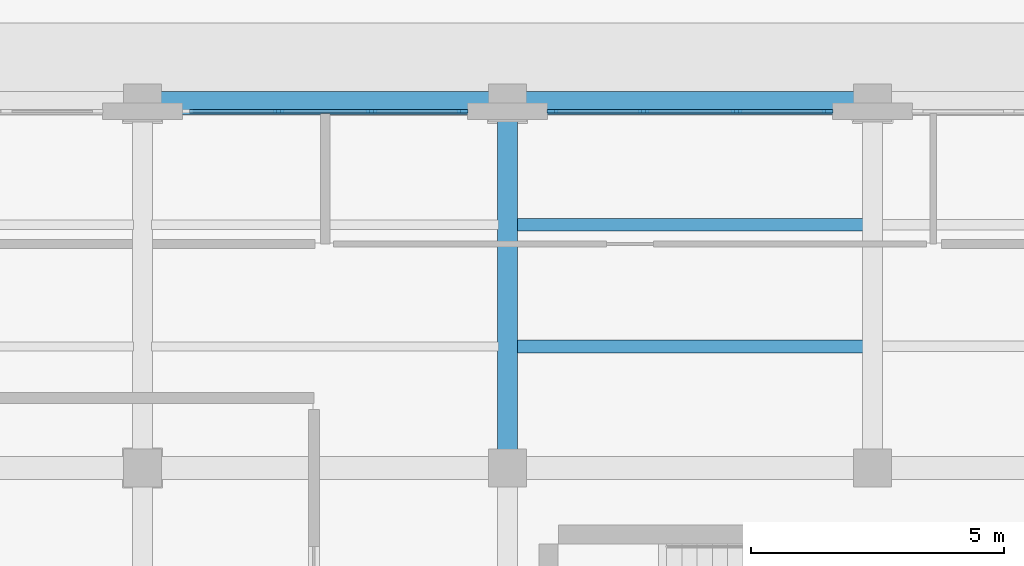
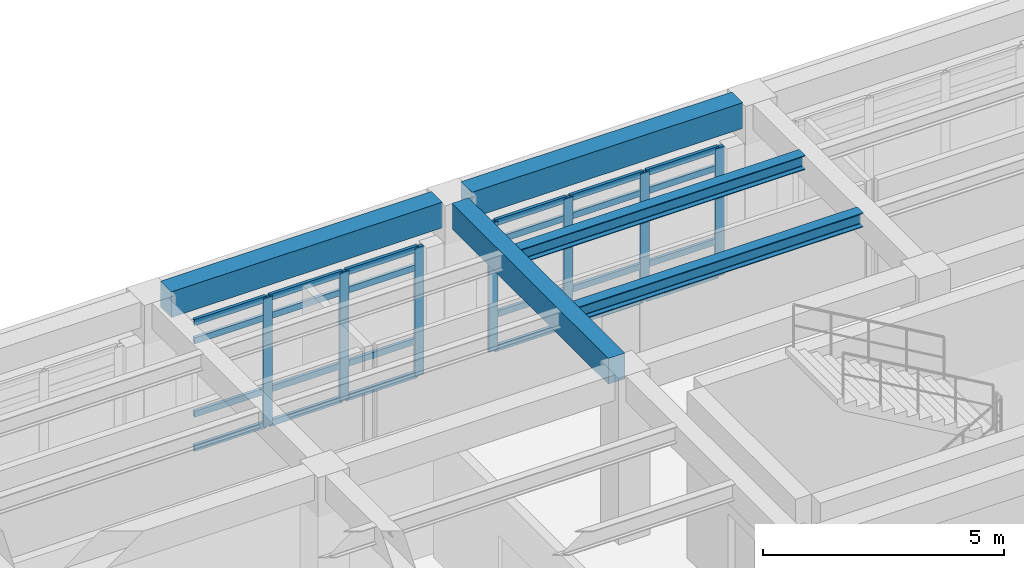
# One storey, part 8 of 64: 31 members, 5 beams, 2 elements without a shape of their own.
"""IFC4 building model written with IfcOpenShell, lengths in metres."""

from ifc_helpers import new_model, si_unit, direction, frame, origin, origin_2d, place, context, subcontext, project, spatial, rectangle, i_section, extrude, material, layer, layer_set, material_profile, profile_set, type_object, element, aggregate, save


model = new_model("IFC4")

# Units and contexts
model_context = context("Model", 3, precision=1e-05, world=origin(), true_north=direction((0.0, 1.0)))
body_context = subcontext(model_context, "Body", "Model", "MODEL_VIEW")
ifc_project = project(units=[si_unit("LENGTHUNIT", "METRE"), si_unit("AREAUNIT", "SQUARE_METRE"), si_unit("VOLUMEUNIT", "CUBIC_METRE"), si_unit("PLANEANGLEUNIT", "RADIAN"), si_unit("MASSUNIT", "GRAM", prefix="KILO")], contexts=[model_context])

# Site, building, storey
site_placement = place(None, origin())
site = spatial("IfcSite", under=ifc_project, at=site_placement, CompositionType="ELEMENT")
building_placement = place(site_placement, origin())
building = spatial("IfcBuilding", under=site, at=building_placement, Name="Solenvale Faculty of Natural Sciences", CompositionType="ELEMENT")
storey_placement = place(building_placement, frame((0.0, 0.0, 18.0)))
storey = spatial("IfcBuildingStorey", under=building, at=storey_placement, Name="L04", CompositionType="ELEMENT", Elevation=18.0)

# Beams
ifc_material_1 = material(Name="Concrete 40 MPa", Category="concrete")
ifc_material_profile_1 = material_profile(ifc_material_1, rectangle(XDim=0.39990234375, YDim=0.64990234375, at=origin_2d()), Name="RC-BM-400x650")
ifc_profile_set_1 = profile_set([ifc_material_profile_1], Name="Concrete 40 MPa")
beam_type_1 = type_object("IfcBeamType", Name="BM-RC-400x650", PredefinedType="BEAM", material=ifc_profile_set_1)
beam_1_placement = place(storey_placement, frame((93.60009765625, 29.155029296875, 3.89501953125), z_axis=(0.0, 1.0, 0.0), x_axis=(-1.0, 0.0, 0.0)))
element("IfcBeam", 1, at=beam_1_placement, inside=storey, type_object=beam_type_1, Name="L04 Y-Girder X93.6 (28.8..36.0)", PredefinedType="BEAM", context=body_context, shape_type="SweptSolid", body=[
    extrude(rectangle(XDim=0.39990234375, YDim=0.64990234375, at=origin_2d()), origin(), (0.0, 0.0, 1.0), 6.489990234375),
])
ifc_material_profile_2 = material_profile(ifc_material_1, rectangle(XDim=0.449951171875, YDim=0.64990234375, at=origin_2d()), Name="RC-BM-450x650")
ifc_profile_set_2 = profile_set([ifc_material_profile_2], Name="Concrete 40 MPa")
beam_type_2 = type_object("IfcBeamType", Name="BM-RC-450x650", PredefinedType="BEAM", material=ifc_profile_set_2)
beam_2_placement = place(storey_placement, frame((86.7548828125, 36.0, 3.89501953125), z_axis=(1.0, 0.0, 0.0), x_axis=(0.0, 1.0, 0.0)))
element("IfcBeam", 2, at=beam_2_placement, inside=storey, type_object=beam_type_2, Name="L04 X-Girder Y36.0 (86.4..93.6)", PredefinedType="BEAM", context=body_context, shape_type="SweptSolid", body=[
    extrude(rectangle(XDim=0.449951171875, YDim=0.64990234375, at=origin_2d()), origin(), (0.0, 0.0, 1.0), 6.490234375),
])
beam_3_placement = place(storey_placement, frame((93.955078125, 36.0, 3.89501953125), z_axis=(1.0, 0.0, 0.0), x_axis=(0.0, 1.0, 0.0)))
element("IfcBeam", 3, at=beam_3_placement, inside=storey, type_object=beam_type_2, Name="L04 X-Girder Y36.0 (93.6..100.8)", PredefinedType="BEAM", context=body_context, shape_type="SweptSolid", body=[
    extrude(rectangle(XDim=0.449951171875, YDim=0.64990234375, at=origin_2d()), origin(), (0.0, 0.0, 1.0), 6.489990234375),
])
ifc_material_2 = material(Name="Steel S355", Category="steel")
ifc_material_profile_3 = material_profile(ifc_material_2, i_section(OverallWidth=0.2548828125, OverallDepth=0.35693359375, WebThickness=0.010498046875, FlangeThickness=0.018310546875, FilletRadius=0.014892578125, at=origin_2d()), Name="W360x101")
ifc_profile_set_3 = profile_set([ifc_material_profile_3], Name="Steel S355")
beam_type_3 = type_object("IfcBeamType", Name="BM-STL-W360x101", PredefinedType="JOIST", material=ifc_profile_set_3)
for number, where, z_axis, x_axis, name in (
    (4, (93.780029296875, 31.199951171875, 4.04150390625), (1.0, 0.0, 0.0), (0.0, 1.0, 0.0), "L04 Composite Floor Joist (14,5).1"),
    (5, (93.780029296875, 33.60009765625, 4.04150390625), (1.0, 0.0, 0.0), (0.0, 1.0, 0.0), "L04 Composite Floor Joist (14,5).2"),
):
    element("IfcBeam", number, at=place(storey_placement, frame(where, z_axis=z_axis, x_axis=x_axis)), inside=storey, type_object=beam_type_3, Name=name, PredefinedType="JOIST", context=body_context, shape_type="SweptSolid", body=[
        extrude(i_section(OverallWidth=0.2548828125, OverallDepth=0.35693359375, WebThickness=0.010498046875, FlangeThickness=0.018310546875, FilletRadius=0.014892578125, at=origin_2d()), origin(), (0.0, 0.0, 1.0), 6.840087890625),
    ])

# Curtain wall, members
ifc_material_3 = material(Name="Anodised bronze aluminium", Category="aluminium")
ifc_layer = layer(ifc_material_3, 0.18994140625)
ifc_layer_set = layer_set([ifc_layer], Name="Anodised bronze aluminium")
curtain_wall_type = type_object("IfcCurtainWallType", Name="CW-TRAY-REC", PredefinedType="USERDEFINED", material=ifc_layer_set)
curtain_wall_1_placement = place(storey_placement, origin())
curtain_wall_1 = element("IfcCurtainWall", 6, at=curtain_wall_1_placement, inside=storey, type_object=curtain_wall_type, Name="L04 Curtain Wall CW-L04-P1-E8-B3", ObjectType="UNITISED CURTAIN WALL", PredefinedType="USERDEFINED")
ifc_material_profile_4 = material_profile(ifc_material_3, rectangle(XDim=0.074951171875, YDim=0.2099609375, at=origin_2d()), Name="ALU-MUL-75x210")
ifc_profile_set_4 = profile_set([ifc_material_profile_4], Name="Anodised bronze aluminium")
member_type_1 = type_object("IfcMemberType", Name="CWM-ALU-75x210", PredefinedType="MULLION", material=ifc_profile_set_4)
member_1_placement = place(storey_placement, frame((99.91259765625, 35.83740234375, 0.0), z_axis=(0.0, 0.0, 1.0), x_axis=(0.0, -1.0, 0.0)))
member_1 = element("IfcMember", 7, at=member_1_placement, type_object=member_type_1, Name="CW-02 mullion 1", PredefinedType="MULLION", context=body_context, shape_type="SweptSolid", body=[
    extrude(rectangle(XDim=0.074951171875, YDim=0.2099609375, at=origin_2d()), origin(), (0.0, 0.0, 1.0), 3.260009765625),
])
member_2_placement = place(storey_placement, frame((98.11669921875, 35.83740234375, 0.0), z_axis=(0.0, 0.0, 1.0), x_axis=(0.0, -1.0, 0.0)))
member_2 = element("IfcMember", 8, at=member_2_placement, type_object=member_type_1, Name="CW-02 mullion 2", PredefinedType="MULLION", context=body_context, shape_type="SweptSolid", body=[
    extrude(rectangle(XDim=0.074951171875, YDim=0.2099609375, at=origin_2d()), origin(), (0.0, 0.0, 1.0), 3.260009765625),
])
member_3_placement = place(storey_placement, frame((96.283447265625, 35.83740234375, 0.0), z_axis=(0.0, 0.0, 1.0), x_axis=(0.0, -1.0, 0.0)))
member_3 = element("IfcMember", 9, at=member_3_placement, type_object=member_type_1, Name="CW-02 mullion 3", PredefinedType="MULLION", context=body_context, shape_type="SweptSolid", body=[
    extrude(rectangle(XDim=0.074951171875, YDim=0.2099609375, at=origin_2d()), origin(), (0.0, 0.0, 1.0), 3.260009765625),
])
member_4_placement = place(storey_placement, frame((94.487548828125, 35.83740234375, 0.0), z_axis=(0.0, 0.0, 1.0), x_axis=(0.0, -1.0, 0.0)))
member_4 = element("IfcMember", 10, at=member_4_placement, type_object=member_type_1, Name="CW-02 mullion 4", PredefinedType="MULLION", context=body_context, shape_type="SweptSolid", body=[
    extrude(rectangle(XDim=0.074951171875, YDim=0.2099609375, at=origin_2d()), origin(), (0.0, 0.0, 1.0), 3.260009765625),
])

curtain_wall_2_placement = place(storey_placement, origin())
curtain_wall_2 = element("IfcCurtainWall", 11, at=curtain_wall_2_placement, inside=storey, type_object=curtain_wall_type, Name="L04 Curtain Wall CW-L04-P1-E8-B4", ObjectType="UNITISED CURTAIN WALL", PredefinedType="USERDEFINED")
member_5_placement = place(storey_placement, frame((92.71240234375, 35.83740234375, 0.0), z_axis=(0.0, 0.0, 1.0), x_axis=(0.0, -1.0, 0.0)))
member_5 = element("IfcMember", 12, at=member_5_placement, type_object=member_type_1, Name="CW-02 mullion 1", PredefinedType="MULLION", context=body_context, shape_type="SweptSolid", body=[
    extrude(rectangle(XDim=0.074951171875, YDim=0.2099609375, at=origin_2d()), origin(), (0.0, 0.0, 1.0), 3.260009765625),
])
member_6_placement = place(storey_placement, frame((90.916748046875, 35.83740234375, 0.0), z_axis=(0.0, 0.0, 1.0), x_axis=(0.0, -1.0, 0.0)))
member_6 = element("IfcMember", 13, at=member_6_placement, type_object=member_type_1, Name="CW-02 mullion 2", PredefinedType="MULLION", context=body_context, shape_type="SweptSolid", body=[
    extrude(rectangle(XDim=0.074951171875, YDim=0.2099609375, at=origin_2d()), origin(), (0.0, 0.0, 1.0), 3.260009765625),
])
member_7_placement = place(storey_placement, frame((89.083251953125, 35.83740234375, 0.0), z_axis=(0.0, 0.0, 1.0), x_axis=(0.0, -1.0, 0.0)))
member_7 = element("IfcMember", 14, at=member_7_placement, type_object=member_type_1, Name="CW-02 mullion 3", PredefinedType="MULLION", context=body_context, shape_type="SweptSolid", body=[
    extrude(rectangle(XDim=0.074951171875, YDim=0.2099609375, at=origin_2d()), origin(), (0.0, 0.0, 1.0), 3.260009765625),
])

# Member
ifc_material_profile_5 = material_profile(ifc_material_3, rectangle(XDim=0.074951171875, YDim=0.155029296875, at=origin_2d()), Name="ALU-TRN-75x155")
ifc_profile_set_5 = profile_set([ifc_material_profile_5], Name="Anodised bronze aluminium")
member_type_2 = type_object("IfcMemberType", Name="CWT-ALU-75x155", PredefinedType="USERDEFINED", material=ifc_profile_set_5)
member_8_placement = place(storey_placement, frame((99.875, 35.83740234375, 0.03759765625), z_axis=(-1.0, 0.0, 0.0), x_axis=(0.0, -1.0, 0.0)))
member_8 = element("IfcMember", 15, at=member_8_placement, type_object=member_type_2, Name="CW-02 transom 1.1", ObjectType="TRANSOM", PredefinedType="USERDEFINED", context=body_context, shape_type="SweptSolid", body=[
    extrude(rectangle(XDim=0.074951171875, YDim=0.155029296875, at=origin_2d()), origin(), (0.0, 0.0, 1.0), 1.720947265625),
])

member_9_placement = place(storey_placement, frame((99.875, 35.83740234375, 0.89990234375), z_axis=(-1.0, 0.0, 0.0), x_axis=(0.0, -1.0, 0.0)))
member_9 = element("IfcMember", 16, at=member_9_placement, type_object=member_type_2, Name="CW-02 transom 1.2", ObjectType="TRANSOM", PredefinedType="USERDEFINED", context=body_context, shape_type="SweptSolid", body=[
    extrude(rectangle(XDim=0.074951171875, YDim=0.155029296875, at=origin_2d()), origin(), (0.0, 0.0, 1.0), 1.720947265625),
])

member_10_placement = place(storey_placement, frame((99.875, 35.83740234375, 2.760009765625), z_axis=(-1.0, 0.0, 0.0), x_axis=(0.0, -1.0, 0.0)))
member_10 = element("IfcMember", 17, at=member_10_placement, type_object=member_type_2, Name="CW-02 transom 1.3", ObjectType="TRANSOM", PredefinedType="USERDEFINED", context=body_context, shape_type="SweptSolid", body=[
    extrude(rectangle(XDim=0.074951171875, YDim=0.155029296875, at=origin_2d()), origin(), (0.0, 0.0, 1.0), 1.720947265625),
])

member_11_placement = place(storey_placement, frame((99.875, 35.83740234375, 3.222412109375), z_axis=(-1.0, 0.0, 0.0), x_axis=(0.0, -1.0, 0.0)))
member_11 = element("IfcMember", 18, at=member_11_placement, type_object=member_type_2, Name="CW-02 transom 1.4", ObjectType="TRANSOM", PredefinedType="USERDEFINED", context=body_context, shape_type="SweptSolid", body=[
    extrude(rectangle(XDim=0.074951171875, YDim=0.155029296875, at=origin_2d()), origin(), (0.0, 0.0, 1.0), 1.720947265625),
])

member_12_placement = place(storey_placement, frame((98.0791015625, 35.83740234375, 0.03759765625), z_axis=(-1.0, 0.0, 0.0), x_axis=(0.0, -1.0, 0.0)))
member_12 = element("IfcMember", 19, at=member_12_placement, type_object=member_type_2, Name="CW-02 transom 2.1", ObjectType="TRANSOM", PredefinedType="USERDEFINED", context=body_context, shape_type="SweptSolid", body=[
    extrude(rectangle(XDim=0.074951171875, YDim=0.155029296875, at=origin_2d()), origin(), (0.0, 0.0, 1.0), 1.75830078125),
])

member_13_placement = place(storey_placement, frame((98.0791015625, 35.83740234375, 0.89990234375), z_axis=(-1.0, 0.0, 0.0), x_axis=(0.0, -1.0, 0.0)))
member_13 = element("IfcMember", 20, at=member_13_placement, type_object=member_type_2, Name="CW-02 transom 2.2", ObjectType="TRANSOM", PredefinedType="USERDEFINED", context=body_context, shape_type="SweptSolid", body=[
    extrude(rectangle(XDim=0.074951171875, YDim=0.155029296875, at=origin_2d()), origin(), (0.0, 0.0, 1.0), 1.75830078125),
])

member_14_placement = place(storey_placement, frame((98.0791015625, 35.83740234375, 2.760009765625), z_axis=(-1.0, 0.0, 0.0), x_axis=(0.0, -1.0, 0.0)))
member_14 = element("IfcMember", 21, at=member_14_placement, type_object=member_type_2, Name="CW-02 transom 2.3", ObjectType="TRANSOM", PredefinedType="USERDEFINED", context=body_context, shape_type="SweptSolid", body=[
    extrude(rectangle(XDim=0.074951171875, YDim=0.155029296875, at=origin_2d()), origin(), (0.0, 0.0, 1.0), 1.75830078125),
])

member_15_placement = place(storey_placement, frame((98.0791015625, 35.83740234375, 3.222412109375), z_axis=(-1.0, 0.0, 0.0), x_axis=(0.0, -1.0, 0.0)))
member_15 = element("IfcMember", 22, at=member_15_placement, type_object=member_type_2, Name="CW-02 transom 2.4", ObjectType="TRANSOM", PredefinedType="USERDEFINED", context=body_context, shape_type="SweptSolid", body=[
    extrude(rectangle(XDim=0.074951171875, YDim=0.155029296875, at=origin_2d()), origin(), (0.0, 0.0, 1.0), 1.75830078125),
])

member_16_placement = place(storey_placement, frame((96.245849609375, 35.83740234375, 0.03759765625), z_axis=(-1.0, 0.0, 0.0), x_axis=(0.0, -1.0, 0.0)))
member_16 = element("IfcMember", 23, at=member_16_placement, type_object=member_type_2, Name="CW-02 transom 3.1", ObjectType="TRANSOM", PredefinedType="USERDEFINED", context=body_context, shape_type="SweptSolid", body=[
    extrude(rectangle(XDim=0.074951171875, YDim=0.155029296875, at=origin_2d()), origin(), (0.0, 0.0, 1.0), 1.720947265625),
])

member_17_placement = place(storey_placement, frame((96.245849609375, 35.83740234375, 0.89990234375), z_axis=(-1.0, 0.0, 0.0), x_axis=(0.0, -1.0, 0.0)))
member_17 = element("IfcMember", 24, at=member_17_placement, type_object=member_type_2, Name="CW-02 transom 3.2", ObjectType="TRANSOM", PredefinedType="USERDEFINED", context=body_context, shape_type="SweptSolid", body=[
    extrude(rectangle(XDim=0.074951171875, YDim=0.155029296875, at=origin_2d()), origin(), (0.0, 0.0, 1.0), 1.720947265625),
])

member_18_placement = place(storey_placement, frame((96.245849609375, 35.83740234375, 2.760009765625), z_axis=(-1.0, 0.0, 0.0), x_axis=(0.0, -1.0, 0.0)))
member_18 = element("IfcMember", 25, at=member_18_placement, type_object=member_type_2, Name="CW-02 transom 3.3", ObjectType="TRANSOM", PredefinedType="USERDEFINED", context=body_context, shape_type="SweptSolid", body=[
    extrude(rectangle(XDim=0.074951171875, YDim=0.155029296875, at=origin_2d()), origin(), (0.0, 0.0, 1.0), 1.720947265625),
])

member_19_placement = place(storey_placement, frame((96.245849609375, 35.83740234375, 3.222412109375), z_axis=(-1.0, 0.0, 0.0), x_axis=(0.0, -1.0, 0.0)))
member_19 = element("IfcMember", 26, at=member_19_placement, type_object=member_type_2, Name="CW-02 transom 3.4", ObjectType="TRANSOM", PredefinedType="USERDEFINED", context=body_context, shape_type="SweptSolid", body=[
    extrude(rectangle(XDim=0.074951171875, YDim=0.155029296875, at=origin_2d()), origin(), (0.0, 0.0, 1.0), 1.720947265625),
])

aggregate(curtain_wall_1, [member_1, member_2, member_3, member_4, member_8, member_9, member_10, member_11, member_12, member_13, member_14, member_15, member_16, member_17, member_18, member_19])

member_20_placement = place(storey_placement, frame((92.675048828125, 35.83740234375, 0.03759765625), z_axis=(-1.0, 0.0, 0.0), x_axis=(0.0, -1.0, 0.0)))
member_20 = element("IfcMember", 27, at=member_20_placement, type_object=member_type_2, Name="CW-02 transom 1.1", ObjectType="TRANSOM", PredefinedType="USERDEFINED", context=body_context, shape_type="SweptSolid", body=[
    extrude(rectangle(XDim=0.074951171875, YDim=0.155029296875, at=origin_2d()), origin(), (0.0, 0.0, 1.0), 1.720947265625),
])

member_21_placement = place(storey_placement, frame((92.675048828125, 35.83740234375, 0.89990234375), z_axis=(-1.0, 0.0, 0.0), x_axis=(0.0, -1.0, 0.0)))
member_21 = element("IfcMember", 28, at=member_21_placement, type_object=member_type_2, Name="CW-02 transom 1.2", ObjectType="TRANSOM", PredefinedType="USERDEFINED", context=body_context, shape_type="SweptSolid", body=[
    extrude(rectangle(XDim=0.074951171875, YDim=0.155029296875, at=origin_2d()), origin(), (0.0, 0.0, 1.0), 1.720947265625),
])

member_22_placement = place(storey_placement, frame((92.675048828125, 35.83740234375, 2.760009765625), z_axis=(-1.0, 0.0, 0.0), x_axis=(0.0, -1.0, 0.0)))
member_22 = element("IfcMember", 29, at=member_22_placement, type_object=member_type_2, Name="CW-02 transom 1.3", ObjectType="TRANSOM", PredefinedType="USERDEFINED", context=body_context, shape_type="SweptSolid", body=[
    extrude(rectangle(XDim=0.074951171875, YDim=0.155029296875, at=origin_2d()), origin(), (0.0, 0.0, 1.0), 1.720947265625),
])

member_23_placement = place(storey_placement, frame((92.675048828125, 35.83740234375, 3.222412109375), z_axis=(-1.0, 0.0, 0.0), x_axis=(0.0, -1.0, 0.0)))
member_23 = element("IfcMember", 30, at=member_23_placement, type_object=member_type_2, Name="CW-02 transom 1.4", ObjectType="TRANSOM", PredefinedType="USERDEFINED", context=body_context, shape_type="SweptSolid", body=[
    extrude(rectangle(XDim=0.074951171875, YDim=0.155029296875, at=origin_2d()), origin(), (0.0, 0.0, 1.0), 1.720947265625),
])

member_24_placement = place(storey_placement, frame((90.879150390625, 35.83740234375, 0.03759765625), z_axis=(-1.0, 0.0, 0.0), x_axis=(0.0, -1.0, 0.0)))
member_24 = element("IfcMember", 31, at=member_24_placement, type_object=member_type_2, Name="CW-02 transom 2.1", ObjectType="TRANSOM", PredefinedType="USERDEFINED", context=body_context, shape_type="SweptSolid", body=[
    extrude(rectangle(XDim=0.074951171875, YDim=0.155029296875, at=origin_2d()), origin(), (0.0, 0.0, 1.0), 1.75830078125),
])

member_25_placement = place(storey_placement, frame((90.879150390625, 35.83740234375, 0.89990234375), z_axis=(-1.0, 0.0, 0.0), x_axis=(0.0, -1.0, 0.0)))
member_25 = element("IfcMember", 32, at=member_25_placement, type_object=member_type_2, Name="CW-02 transom 2.2", ObjectType="TRANSOM", PredefinedType="USERDEFINED", context=body_context, shape_type="SweptSolid", body=[
    extrude(rectangle(XDim=0.074951171875, YDim=0.155029296875, at=origin_2d()), origin(), (0.0, 0.0, 1.0), 1.75830078125),
])

member_26_placement = place(storey_placement, frame((90.879150390625, 35.83740234375, 2.760009765625), z_axis=(-1.0, 0.0, 0.0), x_axis=(0.0, -1.0, 0.0)))
member_26 = element("IfcMember", 33, at=member_26_placement, type_object=member_type_2, Name="CW-02 transom 2.3", ObjectType="TRANSOM", PredefinedType="USERDEFINED", context=body_context, shape_type="SweptSolid", body=[
    extrude(rectangle(XDim=0.074951171875, YDim=0.155029296875, at=origin_2d()), origin(), (0.0, 0.0, 1.0), 1.75830078125),
])

member_27_placement = place(storey_placement, frame((90.879150390625, 35.83740234375, 3.222412109375), z_axis=(-1.0, 0.0, 0.0), x_axis=(0.0, -1.0, 0.0)))
member_27 = element("IfcMember", 34, at=member_27_placement, type_object=member_type_2, Name="CW-02 transom 2.4", ObjectType="TRANSOM", PredefinedType="USERDEFINED", context=body_context, shape_type="SweptSolid", body=[
    extrude(rectangle(XDim=0.074951171875, YDim=0.155029296875, at=origin_2d()), origin(), (0.0, 0.0, 1.0), 1.75830078125),
])

member_28_placement = place(storey_placement, frame((89.0458984375, 35.83740234375, 0.03759765625), z_axis=(-1.0, 0.0, 0.0), x_axis=(0.0, -1.0, 0.0)))
member_28 = element("IfcMember", 35, at=member_28_placement, type_object=member_type_2, Name="CW-02 transom 3.1", ObjectType="TRANSOM", PredefinedType="USERDEFINED", context=body_context, shape_type="SweptSolid", body=[
    extrude(rectangle(XDim=0.074951171875, YDim=0.155029296875, at=origin_2d()), origin(), (0.0, 0.0, 1.0), 1.720947265625),
])

member_29_placement = place(storey_placement, frame((89.0458984375, 35.83740234375, 0.89990234375), z_axis=(-1.0, 0.0, 0.0), x_axis=(0.0, -1.0, 0.0)))
member_29 = element("IfcMember", 36, at=member_29_placement, type_object=member_type_2, Name="CW-02 transom 3.2", ObjectType="TRANSOM", PredefinedType="USERDEFINED", context=body_context, shape_type="SweptSolid", body=[
    extrude(rectangle(XDim=0.074951171875, YDim=0.155029296875, at=origin_2d()), origin(), (0.0, 0.0, 1.0), 1.720947265625),
])

member_30_placement = place(storey_placement, frame((89.0458984375, 35.83740234375, 2.760009765625), z_axis=(-1.0, 0.0, 0.0), x_axis=(0.0, -1.0, 0.0)))
member_30 = element("IfcMember", 37, at=member_30_placement, type_object=member_type_2, Name="CW-02 transom 3.3", ObjectType="TRANSOM", PredefinedType="USERDEFINED", context=body_context, shape_type="SweptSolid", body=[
    extrude(rectangle(XDim=0.074951171875, YDim=0.155029296875, at=origin_2d()), origin(), (0.0, 0.0, 1.0), 1.720947265625),
])

member_31_placement = place(storey_placement, frame((89.0458984375, 35.83740234375, 3.222412109375), z_axis=(-1.0, 0.0, 0.0), x_axis=(0.0, -1.0, 0.0)))
member_31 = element("IfcMember", 38, at=member_31_placement, type_object=member_type_2, Name="CW-02 transom 3.4", ObjectType="TRANSOM", PredefinedType="USERDEFINED", context=body_context, shape_type="SweptSolid", body=[
    extrude(rectangle(XDim=0.074951171875, YDim=0.155029296875, at=origin_2d()), origin(), (0.0, 0.0, 1.0), 1.720947265625),
])

aggregate(curtain_wall_2, [member_5, member_6, member_7, member_20, member_21, member_22, member_23, member_24, member_25, member_26, member_27, member_28, member_29, member_30, member_31])

save(model, "model.ifc")
